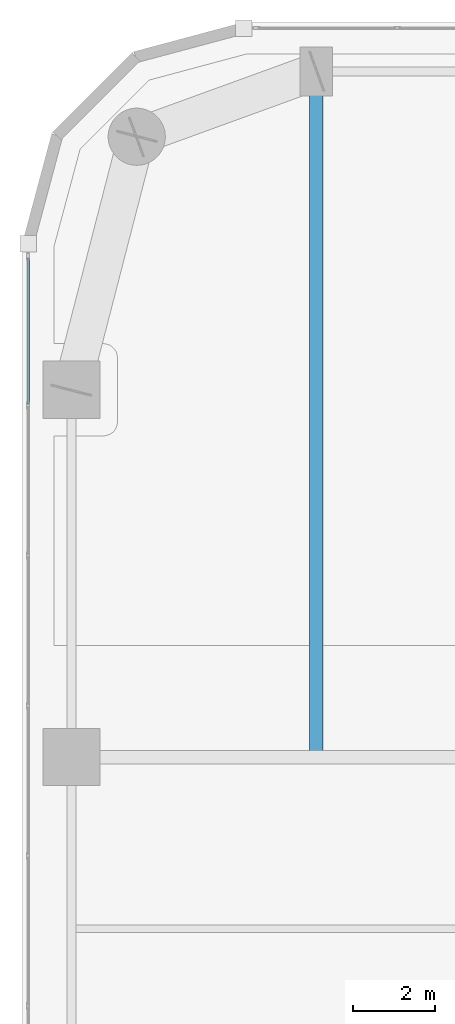
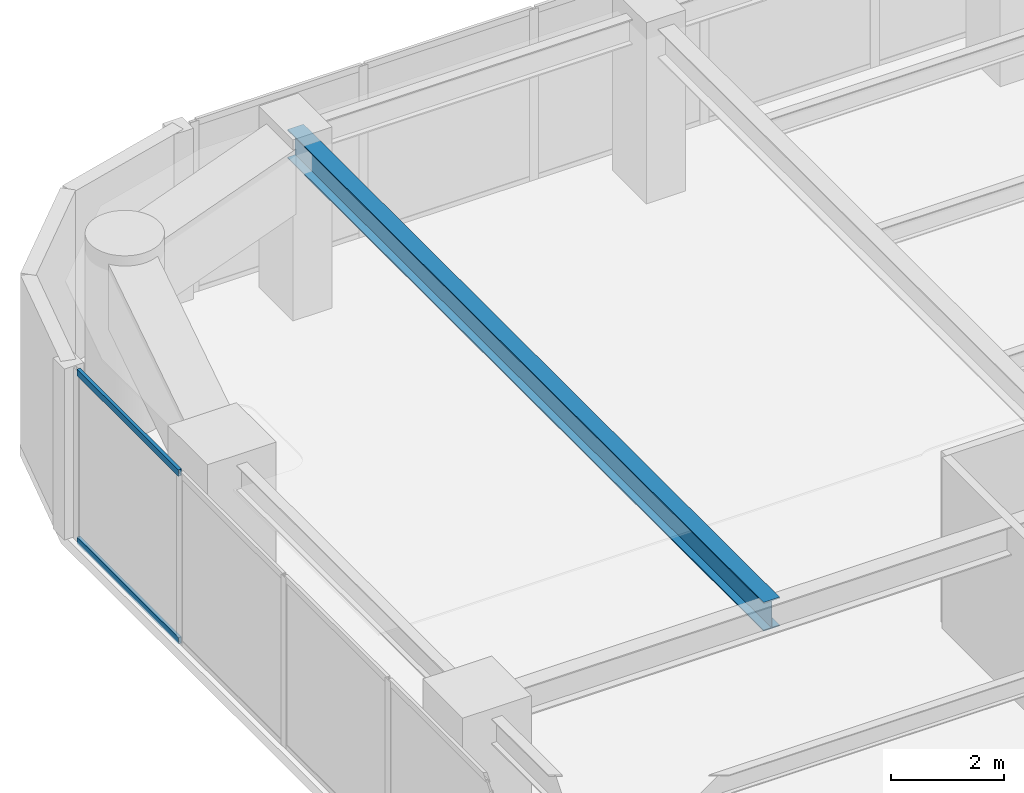
# One storey, part 14 of 31: 2 members, 1 beam, 1 element without a shape of its own.
"""IFC4 building model written with IfcOpenShell, lengths in metres."""

from ifc_helpers import new_model, si_unit, direction, frame, origin, origin_2d, place, context, subcontext, project, spatial, hollow_rectangle, i_section, extrude, material, layer, layer_set, material_profile, profile_set, type_object, element, aggregate, save


model = new_model("IFC4")

# Units and contexts
model_context = context("Model", 3, precision=1e-05, world=origin(), true_north=direction((0.0, 1.0)))
body_context = subcontext(model_context, "Body", "Model", "MODEL_VIEW")
ifc_project = project(units=[si_unit("LENGTHUNIT", "METRE"), si_unit("AREAUNIT", "SQUARE_METRE"), si_unit("VOLUMEUNIT", "CUBIC_METRE"), si_unit("PLANEANGLEUNIT", "RADIAN"), si_unit("MASSUNIT", "GRAM", prefix="KILO")], contexts=[model_context])

# Site, building, storey
site_placement = place(None, origin())
site = spatial("IfcSite", under=ifc_project, at=site_placement, CompositionType="ELEMENT")
building_placement = place(site_placement, origin())
building = spatial("IfcBuilding", under=site, at=building_placement, Name="Kiyonajd Concourse Tower", CompositionType="ELEMENT")
storey_placement = place(building_placement, frame((0.0, 0.0, 158.39990234375)))
storey = spatial("IfcBuildingStorey", under=building, at=storey_placement, Name="L40", CompositionType="ELEMENT", Elevation=158.39990234375)

# Beam
ifc_material_1 = material(Name="Steel ASTM A992 Grade 50", Category="steel")
ifc_material_profile_1 = material_profile(ifc_material_1, i_section(OverallWidth=0.326904296875, OverallDepth=0.6220703125, WebThickness=0.015380859375, FlangeThickness=0.0244140625, at=origin_2d()), Name="W610X195")
ifc_profile_set_1 = profile_set([ifc_material_profile_1], Name="Steel ASTM A992 Grade 50")
beam_type = type_object("IfcBeamType", Name="BM-TWR-610A", PredefinedType="BEAM", material=ifc_profile_set_1)
beam_placement = place(storey_placement, frame((25.199951171875, 44.39990234375, 3.369140625), z_axis=(0.0, 1.0, 0.0), x_axis=(-1.0, 0.0, 0.0)))
element("IfcBeam", 1, at=beam_placement, inside=storey, type_object=beam_type, Name="L40 North Lease Girder", PredefinedType="BEAM", context=body_context, shape_type="SweptSolid", body=[
    extrude(i_section(OverallWidth=0.326904296875, OverallDepth=0.6220703125, WebThickness=0.015380859375, FlangeThickness=0.0244140625, at=origin_2d()), origin(), (0.0, 0.0, 1.0), 16.800048828125),
])

# Curtain wall, members
ifc_material_2 = material(Name="Thermally Broken Anodised Aluminium", Category="aluminium")
ifc_layer = layer(ifc_material_2, 0.179931640625)
ifc_layer_set = layer_set([ifc_layer], Name="Thermally Broken Anodised Aluminium")
curtain_wall_type = type_object("IfcCurtainWallType", Name="CW-SYS-03", PredefinedType="NOTDEFINED", material=ifc_layer_set)
curtain_wall_placement = place(storey_placement, origin())
curtain_wall = element("IfcCurtainWall", 2, at=curtain_wall_placement, inside=storey, type_object=curtain_wall_type, Name="L40 Unitised Curtain Wall CW3", PredefinedType="NOTDEFINED")
ifc_material_profile_2 = material_profile(ifc_material_2, hollow_rectangle(XDim=0.06494140625, YDim=0.139892578125, WallThickness=0.00390625, at=origin_2d()), Name="TRAN-65x140")
ifc_profile_set_2 = profile_set([ifc_material_profile_2], Name="Thermally Broken Anodised Aluminium")
member_type = type_object("IfcMemberType", Name="MB-CW-TRAN1", PredefinedType="USERDEFINED", material=ifc_profile_set_2)
member_1_placement = place(storey_placement, frame((18.139892578125, 53.047119140625, 0.03271484375), z_axis=(0.0, 1.0, 0.0), x_axis=(-1.0, 0.0, 0.0)))
member_1 = element("IfcMember", 3, at=member_1_placement, type_object=member_type, Name="CW3 transom 6.1", ObjectType="TRANSOM", PredefinedType="USERDEFINED", context=body_context, shape_type="SweptSolid", body=[
    extrude(hollow_rectangle(XDim=0.06494140625, YDim=0.139892578125, WallThickness=0.00390625, at=origin_2d()), origin(), (0.0, 0.0, 1.0), 3.57958984375),
])
member_2_placement = place(storey_placement, frame((18.139892578125, 53.047119140625, 3.647705078125), z_axis=(0.0, 1.0, 0.0), x_axis=(-1.0, 0.0, 0.0)))
member_2 = element("IfcMember", 4, at=member_2_placement, type_object=member_type, Name="CW3 transom 6.2", ObjectType="TRANSOM", PredefinedType="USERDEFINED", context=body_context, shape_type="SweptSolid", body=[
    extrude(hollow_rectangle(XDim=0.06494140625, YDim=0.139892578125, WallThickness=0.00390625, at=origin_2d()), origin(), (0.0, 0.0, 1.0), 3.57958984375),
])
aggregate(curtain_wall, [member_1, member_2])

save(model, "model.ifc")
